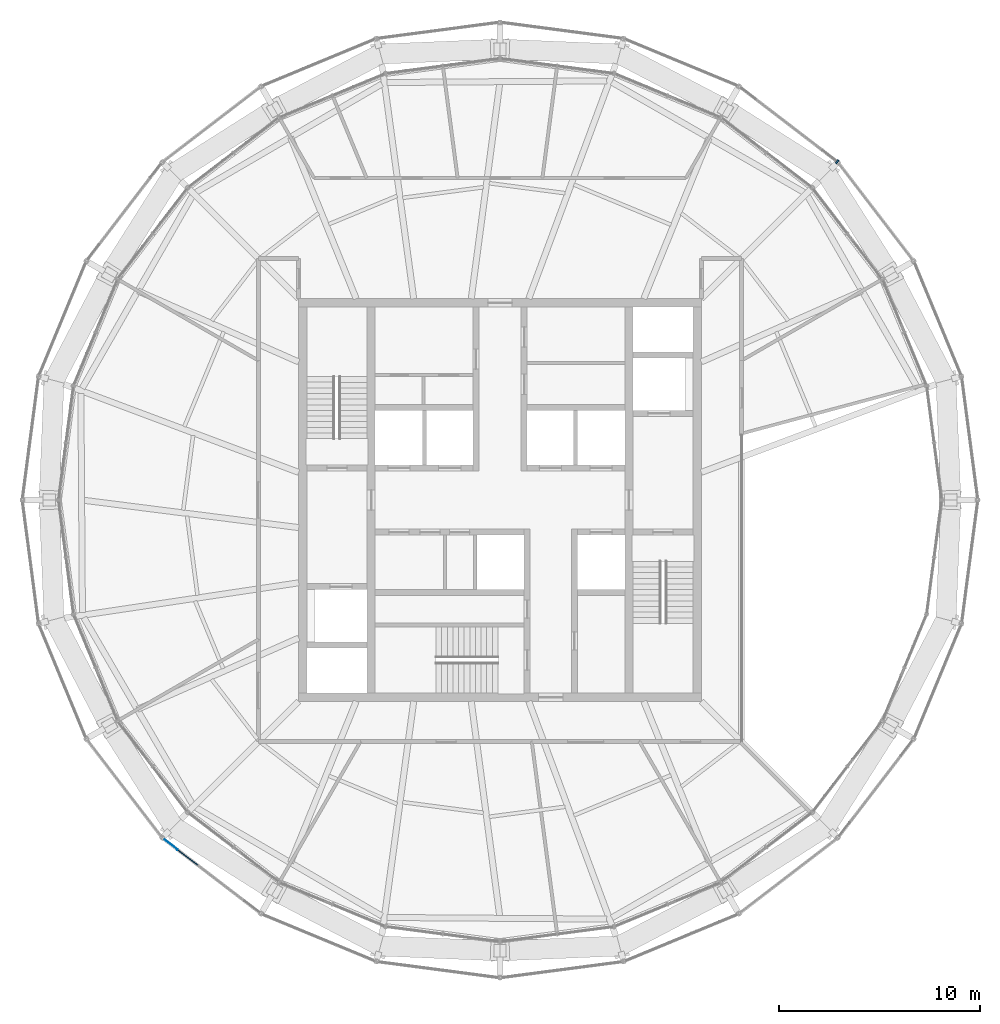
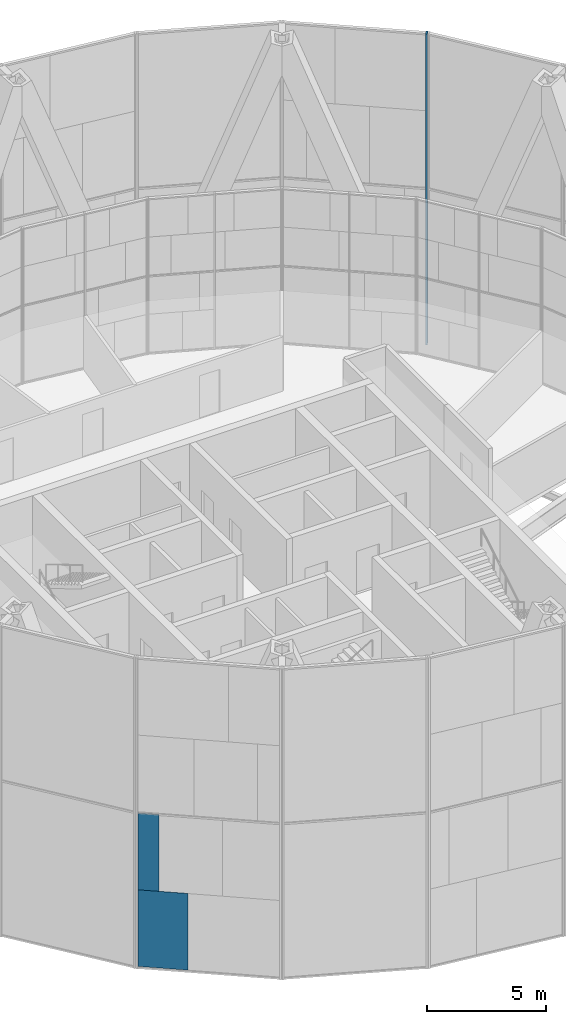
# One storey, part 9 of 22: 2 plates, 1 member, 2 elements without a shape of their own.
"""IFC4 building model written with IfcOpenShell, lengths in metres."""

from ifc_helpers import new_model, si_unit, direction, frame, origin, origin_2d, place, context, subcontext, project, spatial, rectangle, extrude, material, layer, layer_set, material_profile, profile_set, type_object, element, aggregate, save


model = new_model("IFC4")

# Units and contexts
model_context = context("Model", 3, precision=1e-05, world=origin(), true_north=direction((0.0, 1.0)))
body_context = subcontext(model_context, "Body", "Model", "MODEL_VIEW")
ifc_project = project(units=[si_unit("LENGTHUNIT", "METRE"), si_unit("AREAUNIT", "SQUARE_METRE"), si_unit("VOLUMEUNIT", "CUBIC_METRE"), si_unit("PLANEANGLEUNIT", "RADIAN"), si_unit("MASSUNIT", "GRAM", prefix="KILO")], contexts=[model_context])

# Site, building, storey
site_placement = place(None, origin())
site = spatial("IfcSite", under=ifc_project, at=site_placement, CompositionType="ELEMENT")
building_placement = place(site_placement, origin())
building = spatial("IfcBuilding", under=site, at=building_placement, Name="Golbaran Civic Tower", CompositionType="ELEMENT")
storey_placement = place(building_placement, frame((0.0, 0.0, 264.0)))
storey = spatial("IfcBuildingStorey", under=building, at=storey_placement, Name="L64", CompositionType="ELEMENT", Elevation=264.0)

# Curtain wall, member
ifc_material_1 = material(Name="Aluminium and glass", Category="aluminium")
curtain_wall_type = type_object("IfcCurtainWallType", Name="OUTER SKIN TERRACOTTA SCREEN", PredefinedType="NOTDEFINED", material=ifc_material_1)
curtain_wall_1_placement = place(storey_placement, origin())
curtain_wall_1 = element("IfcCurtainWall", 1, at=curtain_wall_1_placement, inside=storey, type_object=curtain_wall_type, Name="Outer skin L64 facet 4 CW3", ObjectType="OUTER SKIN", PredefinedType="USERDEFINED")
ifc_material_2 = material(Name="Aluminium", Category="aluminium")
ifc_material_profile = material_profile(ifc_material_2, rectangle(XDim=0.219970703125, YDim=0.080078125, at=origin_2d()), Name="OUTER SKIN TERRACOTTA SCREEN MULLION")
ifc_profile_set = profile_set([ifc_material_profile], Name="Aluminium")
member_type = type_object("IfcMemberType", Name="OUTER SKIN TERRACOTTA SCREEN MULLION", PredefinedType="MULLION", material=ifc_profile_set)
member_placement = place(storey_placement, frame((16.753662109375, 16.8095703125, -0.7099609375), z_axis=(0.0, 0.0, 1.0), x_axis=(-0.608761428967, -0.793353340323, 0.0)))
member = element("IfcMember", 2, at=member_placement, type_object=member_type, Name="CW3 mullion 1", PredefinedType="MULLION", context=body_context, shape_type="SweptSolid", body=[
    extrude(rectangle(XDim=0.219970703125, YDim=0.080078125, at=origin_2d()), origin(), (0.0, 0.0, 1.0), 16.0),
])
aggregate(curtain_wall_1, [member])

# Curtain wall, plates
curtain_wall_2_placement = place(storey_placement, origin())
curtain_wall_2 = element("IfcCurtainWall", 3, at=curtain_wall_2_placement, inside=storey, type_object=curtain_wall_type, Name="Outer skin L64 facet 16 CW3", ObjectType="OUTER SKIN", PredefinedType="USERDEFINED")
ifc_material_3 = material(Name="Clear laminated glass", Category="glass")
ifc_layer_1 = layer(ifc_material_3, 0.0400390625, Name="Clear laminated glass")
ifc_layer_set_1 = layer_set([ifc_layer_1], Name="Clear laminated glass")
plate_type_1 = type_object("IfcPlateType", Name="OUTER SKIN CLEAR GLASS PANEL", PredefinedType="CURTAIN_PANEL", material=ifc_layer_set_1)
plate_1_placement = place(storey_placement, frame((-16.36669921875, -17.1064453125, 3.31005859375), z_axis=(0.0, 0.0, 1.0), x_axis=(0.793353340323, -0.608761428967, 0.0)))
plate_1 = element("IfcPlate", 4, at=plate_1_placement, type_object=plate_type_1, Name="CW3 panel 1.1 part 3", PredefinedType="CURTAIN_PANEL", context=body_context, shape_type="SweptSolid", body=[
    extrude(rectangle(XDim=0.89501953125, YDim=0.0400390625, at=origin_2d()), origin(), (0.0, 0.0, 1.0), 3.93994140625),
])
ifc_material_4 = material(Name="Terracotta baguette screen", Category="masonry")
ifc_layer_2 = layer(ifc_material_4, 0.0400390625, Name="Terracotta baguette screen")
ifc_layer_set_2 = layer_set([ifc_layer_2], Name="Terracotta baguette screen")
plate_type_2 = type_object("IfcPlateType", Name="OUTER SKIN TERRACOTTA INFILL PANEL", PredefinedType="CURTAIN_PANEL", material=ifc_layer_set_2)
plate_2_placement = place(storey_placement, frame((-15.877685546875, -17.481689453125, -0.6298828125), z_axis=(0.0, 0.0, 1.0), x_axis=(0.793353340323, -0.608761428967, 0.0)))
plate_2 = element("IfcPlate", 5, at=plate_2_placement, type_object=plate_type_2, Name="CW3 infill panel 1.1 part 1", PredefinedType="CURTAIN_PANEL", context=body_context, shape_type="SweptSolid", body=[
    extrude(rectangle(XDim=2.1279296875, YDim=0.0400390625, at=origin_2d()), origin(), (0.0, 0.0, 1.0), 3.93994140625),
])
aggregate(curtain_wall_2, [plate_2, plate_1])

save(model, "model.ifc")
